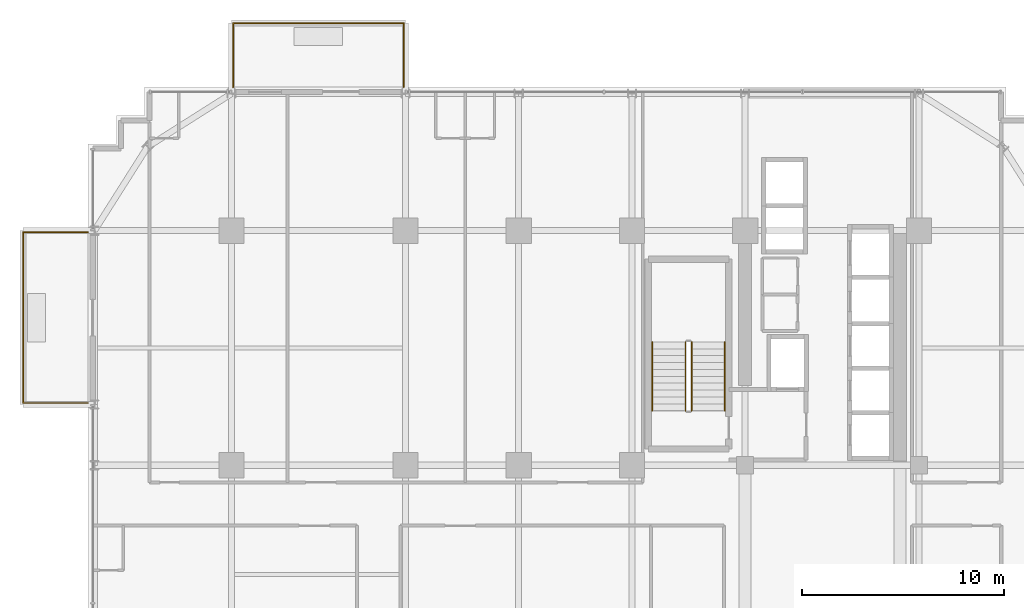
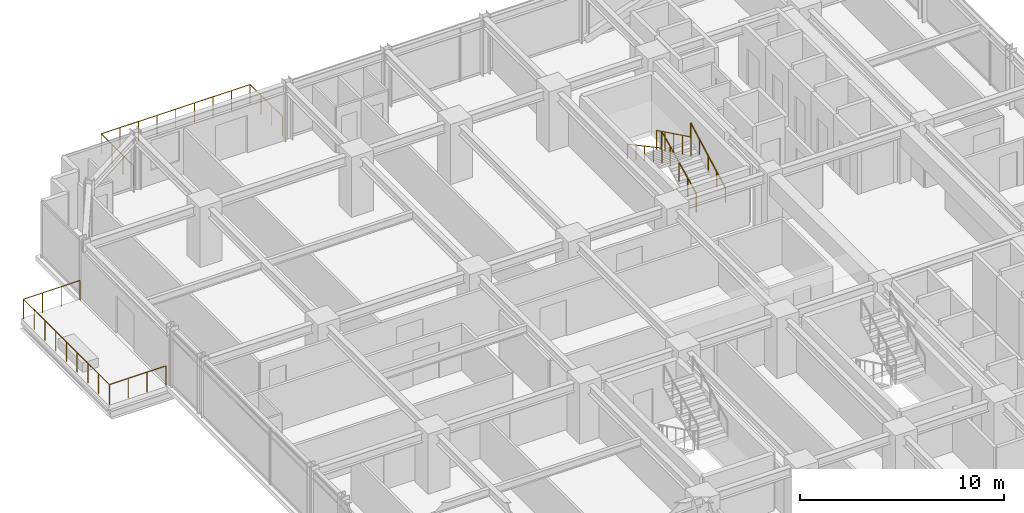
# One storey, part 33 of 35: 6 railings.
"""IFC4 building model written with IfcOpenShell, lengths in metres."""

from ifc_helpers import new_model, si_unit, direction, frame, origin, origin_2d, place, context, subcontext, project, spatial, circle, extrude, material, type_object, element, save


model = new_model("IFC4")

# Units and contexts
model_context = context("Model", 3, precision=1e-05, world=origin(), true_north=direction((0.0, 1.0)))
body_context = subcontext(model_context, "Body", "Model", "MODEL_VIEW")
ifc_project = project(units=[si_unit("LENGTHUNIT", "METRE"), si_unit("AREAUNIT", "SQUARE_METRE"), si_unit("VOLUMEUNIT", "CUBIC_METRE"), si_unit("PLANEANGLEUNIT", "RADIAN"), si_unit("MASSUNIT", "GRAM", prefix="KILO")], contexts=[model_context])

# Site, building, storey
site_placement = place(None, origin())
site = spatial("IfcSite", under=ifc_project, at=site_placement, CompositionType="ELEMENT")
building_placement = place(site_placement, origin())
building = spatial("IfcBuilding", under=site, at=building_placement, Name="Nahalor Promenade Grand Hotel", CompositionType="ELEMENT")
storey_placement = place(building_placement, frame((0.0, 0.0, 106.550048828125)))
storey = spatial("IfcBuildingStorey", under=building, at=storey_placement, Name="L26", CompositionType="ELEMENT", Elevation=106.550048828125)

# Railings
ifc_material_1 = material(Name="Anodised Bronze Aluminium EN AW-6063 T6", Category="aluminium")
railing_type_1 = type_object("IfcRailingType", Name="Bronze Balcony Guardrail 1200 mm", PredefinedType="GUARDRAIL", material=ifc_material_1)
railing_1_placement = place(storey_placement, frame((-16.919921875, 24.10009765625, 0.0)))
element("IfcRailing", 1, at=railing_1_placement, inside=storey, type_object=railing_type_1, Name="L26 Balcony Guardrail 1", PredefinedType="GUARDRAIL", context=body_context, shape_type="SweptSolid", body=[
    extrude(circle(Radius=0.024048, at=origin_2d()), frame((0.0, 0.0, 1.17578125), z_axis=(0.0, 1.0, 0.0), x_axis=(-1.0, 0.0, 0.0)), (0.0, 0.0, 1.0), 3.16796875),
    extrude(circle(Radius=0.024048, at=origin_2d()), frame((0.001953125, 3.169921875, 1.17578125), z_axis=(1.0, 0.0, 0.0), x_axis=(0.0, 1.0, 0.0)), (0.0, 0.0, 1.0), 8.43603515625),
    extrude(circle(Radius=0.024048, at=origin_2d()), frame((8.43994140625, 3.16796875, 1.17578125), z_axis=(0.0, -1.0, 0.0), x_axis=(1.0, 0.0, 0.0)), (0.0, 0.0, 1.0), 3.16796875),
    extrude(circle(Radius=0.020996, at=origin_2d()), origin(), (0.0, 0.0, 1.0), 1.14990234375),
    extrude(circle(Radius=0.020996, at=origin_2d()), frame((0.0, 1.056640625, 0.0)), (0.0, 0.0, 1.0), 1.14990234375),
    extrude(circle(Radius=0.020996, at=origin_2d()), frame((0.0, 2.11328125, 0.0)), (0.0, 0.0, 1.0), 1.14990234375),
    extrude(circle(Radius=0.020996, at=origin_2d()), frame((0.0, 3.169921875, 0.0)), (0.0, 0.0, 1.0), 1.14990234375),
    extrude(circle(Radius=0.020996, at=origin_2d()), frame((1.054931640625, 3.169921875, 0.0)), (0.0, 0.0, 1.0), 1.14990234375),
    extrude(circle(Radius=0.020996, at=origin_2d()), frame((2.10986328125, 3.169921875, 0.0)), (0.0, 0.0, 1.0), 1.14990234375),
    extrude(circle(Radius=0.020996, at=origin_2d()), frame((3.1650390625, 3.169921875, 0.0)), (0.0, 0.0, 1.0), 1.14990234375),
    extrude(circle(Radius=0.020996, at=origin_2d()), frame((4.219970703125, 3.169921875, 0.0)), (0.0, 0.0, 1.0), 1.14990234375),
    extrude(circle(Radius=0.020996, at=origin_2d()), frame((5.27490234375, 3.169921875, 0.0)), (0.0, 0.0, 1.0), 1.14990234375),
    extrude(circle(Radius=0.020996, at=origin_2d()), frame((6.330078125, 3.169921875, 0.0)), (0.0, 0.0, 1.0), 1.14990234375),
    extrude(circle(Radius=0.020996, at=origin_2d()), frame((7.385009765625, 3.169921875, 0.0)), (0.0, 0.0, 1.0), 1.14990234375),
    extrude(circle(Radius=0.020996, at=origin_2d()), frame((8.43994140625, 3.169921875, 0.0)), (0.0, 0.0, 1.0), 1.14990234375),
    extrude(circle(Radius=0.020996, at=origin_2d()), frame((8.43994140625, 2.11328125, 0.0)), (0.0, 0.0, 1.0), 1.14990234375),
    extrude(circle(Radius=0.020996, at=origin_2d()), frame((8.43994140625, 1.056640625, 0.0)), (0.0, 0.0, 1.0), 1.14990234375),
    extrude(circle(Radius=0.020996, at=origin_2d()), frame((8.43994140625, 0.0, 0.0)), (0.0, 0.0, 1.0), 1.14990234375),
])
railing_2_placement = place(storey_placement, frame((-24.10009765625, 8.47998046875, 0.0)))
element("IfcRailing", 2, at=railing_2_placement, inside=storey, type_object=railing_type_1, Name="L26 Balcony Guardrail 2", PredefinedType="GUARDRAIL", context=body_context, shape_type="SweptSolid", body=[
    extrude(circle(Radius=0.024048, at=origin_2d()), frame((0.0, 0.0, 1.17578125), z_axis=(-1.0, 0.0, 0.0), x_axis=(0.0, -1.0, 0.0)), (0.0, 0.0, 1.0), 3.2080078125),
    extrude(circle(Radius=0.024048, at=origin_2d()), frame((-3.2099609375, 0.001953125, 1.17578125), z_axis=(0.0, 1.0, 0.0), x_axis=(-1.0, 0.0, 0.0)), (0.0, 0.0, 1.0), 8.43603515625),
    extrude(circle(Radius=0.024048, at=origin_2d()), frame((-3.2080078125, 8.43994140625, 1.17578125), z_axis=(1.0, 0.0, 0.0), x_axis=(0.0, 1.0, 0.0)), (0.0, 0.0, 1.0), 3.2080078125),
    extrude(circle(Radius=0.020996, at=origin_2d()), origin(), (0.0, 0.0, 1.0), 1.14990234375),
    extrude(circle(Radius=0.020996, at=origin_2d()), frame((-1.070068359375, 0.0, 0.0)), (0.0, 0.0, 1.0), 1.14990234375),
    extrude(circle(Radius=0.020996, at=origin_2d()), frame((-2.139892578125, 0.0, 0.0)), (0.0, 0.0, 1.0), 1.14990234375),
    extrude(circle(Radius=0.020996, at=origin_2d()), frame((-3.2099609375, 0.0, 0.0)), (0.0, 0.0, 1.0), 1.14990234375),
    extrude(circle(Radius=0.020996, at=origin_2d()), frame((-3.2099609375, 1.054931640625, 0.0)), (0.0, 0.0, 1.0), 1.14990234375),
    extrude(circle(Radius=0.020996, at=origin_2d()), frame((-3.2099609375, 2.10986328125, 0.0)), (0.0, 0.0, 1.0), 1.14990234375),
    extrude(circle(Radius=0.020996, at=origin_2d()), frame((-3.2099609375, 3.1650390625, 0.0)), (0.0, 0.0, 1.0), 1.14990234375),
    extrude(circle(Radius=0.020996, at=origin_2d()), frame((-3.2099609375, 4.219970703125, 0.0)), (0.0, 0.0, 1.0), 1.14990234375),
    extrude(circle(Radius=0.020996, at=origin_2d()), frame((-3.2099609375, 5.27490234375, 0.0)), (0.0, 0.0, 1.0), 1.14990234375),
    extrude(circle(Radius=0.020996, at=origin_2d()), frame((-3.2099609375, 6.330078125, 0.0)), (0.0, 0.0, 1.0), 1.14990234375),
    extrude(circle(Radius=0.020996, at=origin_2d()), frame((-3.2099609375, 7.385009765625, 0.0)), (0.0, 0.0, 1.0), 1.14990234375),
    extrude(circle(Radius=0.020996, at=origin_2d()), frame((-3.2099609375, 8.43994140625, 0.0)), (0.0, 0.0, 1.0), 1.14990234375),
    extrude(circle(Radius=0.020996, at=origin_2d()), frame((-2.139892578125, 8.43994140625, 0.0)), (0.0, 0.0, 1.0), 1.14990234375),
    extrude(circle(Radius=0.020996, at=origin_2d()), frame((-1.070068359375, 8.43994140625, 0.0)), (0.0, 0.0, 1.0), 1.14990234375),
    extrude(circle(Radius=0.020996, at=origin_2d()), frame((0.0, 8.43994140625, 0.0)), (0.0, 0.0, 1.0), 1.14990234375),
])
ifc_material_2 = material(Name="Steel S355JR", Category="steel")
railing_type_2 = type_object("IfcRailingType", Name="Steel Stair Guardrail 1150 mm", PredefinedType="GUARDRAIL", material=ifc_material_2)
railing_3_placement = place(storey_placement, frame((5.75, 8.10009765625, 0.165771484375)))
element("IfcRailing", 3, at=railing_3_placement, inside=storey, type_object=railing_type_2, Name="L26 ST1 stair guard 1", PredefinedType="GUARDRAIL", context=body_context, shape_type="SweptSolid", body=[
    extrude(circle(Radius=0.024048, at=origin_2d()), frame((0.0, 0.0, 1.1259765625), z_axis=(0.0, 0.898696488221, 0.438571114028), x_axis=(-1.0, 0.0, 0.0)), (0.0, 0.0, 1.0), 3.783203125),
    extrude(circle(Radius=0.020996, at=origin_2d()), origin(), (0.0, 0.0, 1.0), 1.099853515625),
    extrude(circle(Radius=0.020996, at=origin_2d()), frame((0.0, 0.85009765625, 0.414794921875)), (0.0, 0.0, 1.0), 1.099853515625),
    extrude(circle(Radius=0.020996, at=origin_2d()), frame((0.0, 1.699951171875, 0.82958984375)), (0.0, 0.0, 1.0), 1.099853515625),
    extrude(circle(Radius=0.020996, at=origin_2d()), frame((0.0, 2.5498046875, 1.244384765625)), (0.0, 0.0, 1.0), 1.099853515625),
    extrude(circle(Radius=0.020996, at=origin_2d()), frame((0.0, 3.39990234375, 1.6591796875)), (0.0, 0.0, 1.0), 1.099853515625),
])
railing_4_placement = place(storey_placement, frame((5.449951171875, 11.5, 1.990966796875)))
element("IfcRailing", 4, at=railing_4_placement, inside=storey, type_object=railing_type_2, Name="L26 ST1 stair guard 3", PredefinedType="GUARDRAIL", context=body_context, shape_type="SweptSolid", body=[
    extrude(circle(Radius=0.024048, at=origin_2d()), frame((0.0, 0.0, 1.1259765625), z_axis=(0.0, -0.898721922897, 0.438518990814), x_axis=(1.0, 0.0, 0.0)), (0.0, 0.0, 1.0), 3.782958984375),
    extrude(circle(Radius=0.020996, at=origin_2d()), origin(), (0.0, 0.0, 1.0), 1.099853515625),
    extrude(circle(Radius=0.020996, at=origin_2d()), frame((0.0, -0.85009765625, 0.414794921875)), (0.0, 0.0, 1.0), 1.099853515625),
    extrude(circle(Radius=0.020996, at=origin_2d()), frame((0.0, -1.699951171875, 0.82958984375)), (0.0, 0.0, 1.0), 1.099853515625),
    extrude(circle(Radius=0.020996, at=origin_2d()), frame((0.0, -2.5498046875, 1.244140625)), (0.0, 0.0, 1.0), 1.099853515625),
    extrude(circle(Radius=0.020996, at=origin_2d()), frame((0.0, -3.39990234375, 1.658935546875)), (0.0, 0.0, 1.0), 1.099853515625),
])
railing_type_3 = type_object("IfcRailingType", Name="Steel Stair Handrail 900 mm", PredefinedType="HANDRAIL", material=ifc_material_2)
railing_5_placement = place(storey_placement, frame((7.39990234375, 8.10009765625, 0.165771484375)))
element("IfcRailing", 5, at=railing_5_placement, inside=storey, type_object=railing_type_3, Name="L26 ST1 stair handrail 1", PredefinedType="HANDRAIL", context=body_context, shape_type="SweptSolid", body=[
    extrude(circle(Radius=0.024048, at=origin_2d()), frame((0.0, 0.0, 0.8759765625), z_axis=(0.0, 0.881067672671, 0.472990228413), x_axis=(-1.0, 0.0, 0.0)), (0.0, 0.0, 1.0), 3.85888671875),
    extrude(circle(Radius=0.020996, at=origin_2d()), origin(), (0.0, 0.0, 1.0), 0.849853515625),
    extrude(circle(Radius=0.020996, at=origin_2d()), frame((0.0, 0.85009765625, 0.456298828125)), (0.0, 0.0, 1.0), 0.849853515625),
    extrude(circle(Radius=0.020996, at=origin_2d()), frame((0.0, 1.699951171875, 0.91259765625)), (0.0, 0.0, 1.0), 0.849853515625),
    extrude(circle(Radius=0.020996, at=origin_2d()), frame((0.0, 2.5498046875, 1.368896484375)), (0.0, 0.0, 1.0), 0.849853515625),
    extrude(circle(Radius=0.020996, at=origin_2d()), frame((0.0, 3.39990234375, 1.8251953125)), (0.0, 0.0, 1.0), 0.849853515625),
])
railing_6_placement = place(storey_placement, frame((3.800048828125, 11.5, 1.990966796875)))
element("IfcRailing", 6, at=railing_6_placement, inside=storey, type_object=railing_type_3, Name="L26 ST1 stair handrail 2", PredefinedType="HANDRAIL", context=body_context, shape_type="SweptSolid", body=[
    extrude(circle(Radius=0.024048, at=origin_2d()), frame((0.0, 0.0, 0.8759765625), z_axis=(0.0, -0.881094038095, 0.47294111265), x_axis=(1.0, 0.0, 0.0)), (0.0, 0.0, 1.0), 3.858642578125),
    extrude(circle(Radius=0.020996, at=origin_2d()), origin(), (0.0, 0.0, 1.0), 0.849853515625),
    extrude(circle(Radius=0.020996, at=origin_2d()), frame((0.0, -0.85009765625, 0.456298828125)), (0.0, 0.0, 1.0), 0.849853515625),
    extrude(circle(Radius=0.020996, at=origin_2d()), frame((0.0, -1.699951171875, 0.91259765625)), (0.0, 0.0, 1.0), 0.849853515625),
    extrude(circle(Radius=0.020996, at=origin_2d()), frame((0.0, -2.5498046875, 1.36865234375)), (0.0, 0.0, 1.0), 0.849853515625),
    extrude(circle(Radius=0.020996, at=origin_2d()), frame((0.0, -3.39990234375, 1.824951171875)), (0.0, 0.0, 1.0), 0.849853515625),
])

save(model, "model.ifc")
